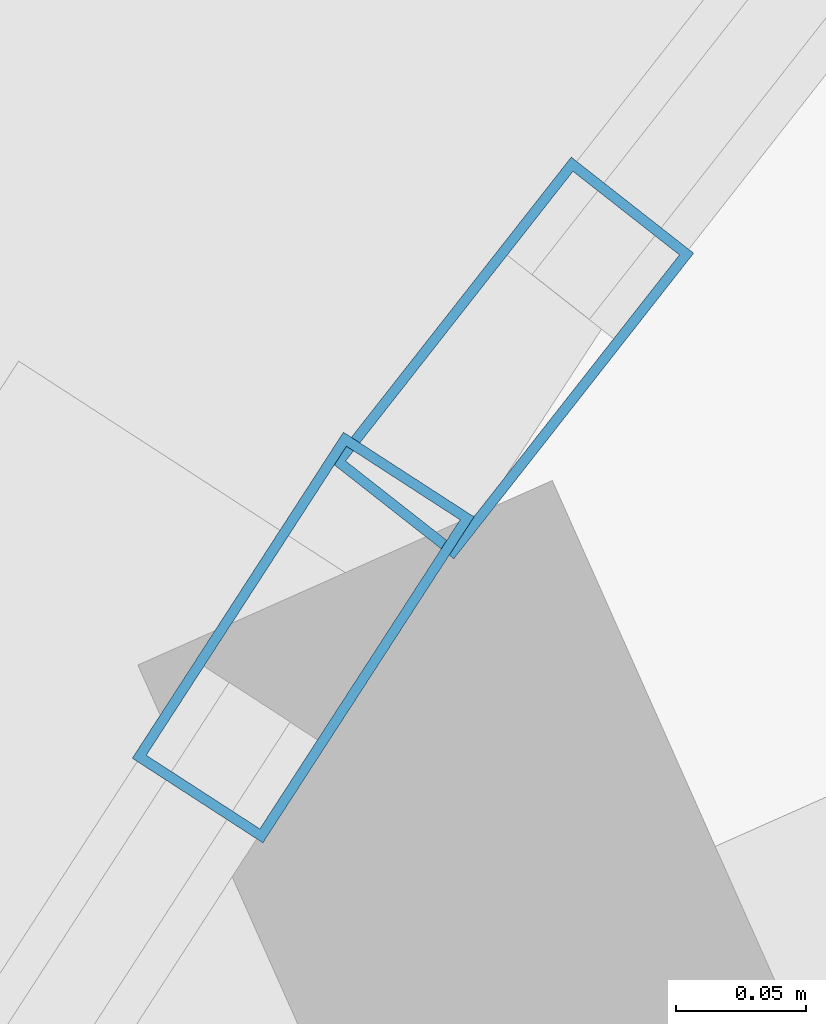
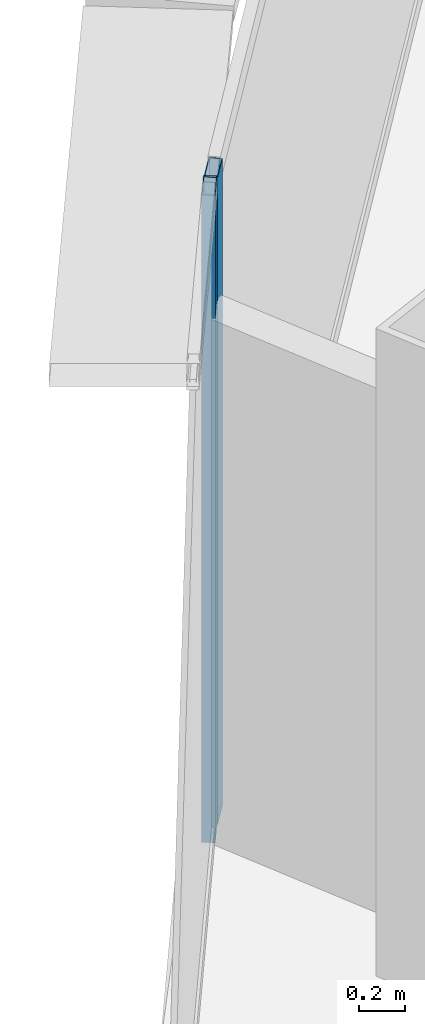
# One storey, part 18 of 39: 2 members, 2 elements without a shape of their own.
"""IFC4 building model written with IfcOpenShell, lengths in metres."""

from ifc_helpers import new_model, si_unit, direction, frame, origin, origin_2d, place, context, subcontext, project, spatial, hollow_rectangle, extrude, source, transform, mapped, material, layer, layer_set, material_profile, profile_set, type_object, element, aggregate, save


model = new_model("IFC4")

# Units and contexts
model_context = context("Model", 3, precision=1e-05, world=origin(), true_north=direction((0.0, 1.0)))
body_context = subcontext(model_context, "Body", "Model", "MODEL_VIEW")
ifc_project = project(units=[si_unit("LENGTHUNIT", "METRE"), si_unit("AREAUNIT", "SQUARE_METRE"), si_unit("VOLUMEUNIT", "CUBIC_METRE"), si_unit("PLANEANGLEUNIT", "RADIAN"), si_unit("MASSUNIT", "GRAM", prefix="KILO"), si_unit("THERMODYNAMICTEMPERATUREUNIT", "KELVIN"), si_unit("POWERUNIT", "WATT")], contexts=[model_context])

# Site, building, storey
site_placement = place(None, origin())
site = spatial("IfcSite", under=ifc_project, at=site_placement, CompositionType="ELEMENT")
building_placement = place(site_placement, origin())
building = spatial("IfcBuilding", under=site, at=building_placement, Name="Yunzhuo Pagoda Commons", CompositionType="ELEMENT")
storey_placement = place(building_placement, frame((0.0, 0.0, 148.22998046875)))
storey = spatial("IfcBuildingStorey", under=building, at=storey_placement, Name="L37", CompositionType="ELEMENT", Elevation=148.22998046875)

# Curtain wall, member
ifc_material = material(Name="Anodized aluminium 6063-T6", Category="aluminium")
ifc_layer = layer(ifc_material, 0.14990234375)
ifc_layer_set = layer_set([ifc_layer], Name="Anodized aluminium 6063-T6")
curtain_wall_type = type_object("IfcCurtainWallType", Name="CW-MID Mid-Zone Ribbon Curtain Wall", PredefinedType="NOTDEFINED", material=ifc_layer_set)
curtain_wall_1_placement = place(storey_placement, origin())
curtain_wall_1 = element("IfcCurtainWall", 1, at=curtain_wall_1_placement, inside=storey, type_object=curtain_wall_type, Name="L37 curtain wall CW-L37-F3B2", PredefinedType="NOTDEFINED")
ifc_material_profile = material_profile(ifc_material, hollow_rectangle(XDim=0.06005859375, YDim=0.14990234375, WallThickness=0.00390625, at=origin_2d()), Name="Anodized aluminium 6063-T6")
ifc_profile_set = profile_set([ifc_material_profile], Name="Anodized aluminium 6063-T6")
member_type = type_object("IfcMemberType", Name="CW-MID-M Mullion RHS 150x60x4", PredefinedType="MULLION", material=ifc_profile_set)
shared_shape = source(origin(), body_context, "Body", "SweptSolid", [
    extrude(hollow_rectangle(XDim=0.06005859375, YDim=0.14990234375, WallThickness=0.00390625, at=origin_2d()), origin(), (0.0, 0.0, 1.0), 3.419677734375),
])
member_1_placement = place(storey_placement, frame((31.883056640625, 69.837890625, 0.000244140625), z_axis=(0.0, 0.0, 1.0), x_axis=(0.839320281383, -0.543637255216, 0.0)))
member_1 = element("IfcMember", 2, at=member_1_placement, type_object=member_type, Name="CW mullion 1", PredefinedType="MULLION", context=body_context, shape_type="MappedRepresentation", body=[
    mapped(shared_shape, transform((0.0, 0.0, 0.0), scale=1.0)),
])
aggregate(curtain_wall_1, [member_1])

curtain_wall_2_placement = place(storey_placement, origin())
curtain_wall_2 = element("IfcCurtainWall", 3, at=curtain_wall_2_placement, inside=storey, type_object=curtain_wall_type, Name="L37 curtain wall CW-L37-F3B1", PredefinedType="NOTDEFINED")
member_2_placement = place(storey_placement, frame((31.9638671875, 69.94580078125, 0.000244140625), z_axis=(0.0, 0.0, 1.0), x_axis=(0.786664694453, -0.617380481147, 0.0)))
member_2 = element("IfcMember", 4, at=member_2_placement, type_object=member_type, Name="CW mullion 2", PredefinedType="MULLION", context=body_context, shape_type="MappedRepresentation", body=[
    mapped(shared_shape, transform((0.0, 0.0, 0.0), scale=1.0)),
])
aggregate(curtain_wall_2, [member_2])

save(model, "model.ifc")
